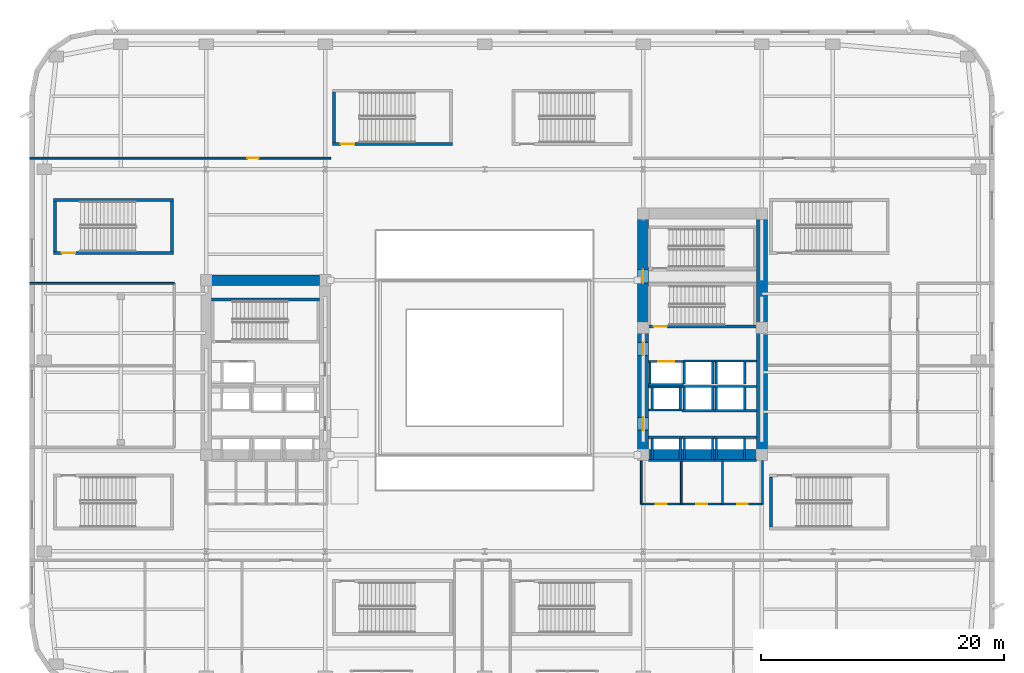
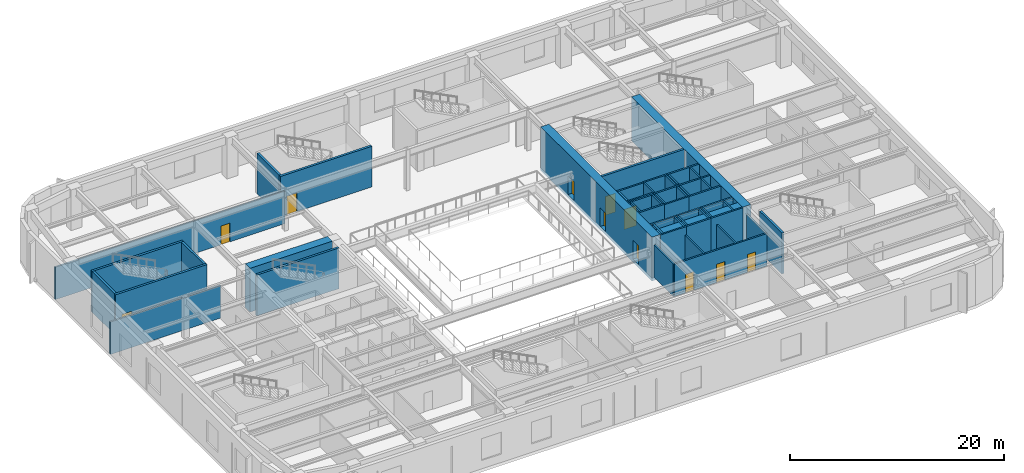
# One storey, part 8 of 22: 53 walls, 11 doors, 11 openings.
"""IFC4 building model written with IfcOpenShell, lengths in metres."""

import ifcopenshell
import ifcopenshell.guid

model = None  # the IFC model being written
_history = None  # IfcOwnerHistory: only IFC2X3 demands one
_inside = {}  # id of a spatial element -> (the spatial element, [elements in it])
_under = {}  # id of a project, library or spatial element -> (it, [spatial elements below it])
_declared = {}  # id of a project -> (the project, [libraries it declares])
_typed = {}  # id of a type object -> (the type object, [elements of that type])
_made_of = {}  # id of a material, layer set ... -> (it, [elements and type objects made of it])


def new_model(schema):
    """Start an empty IFC model of exactly this schema.

    Asked for "IFC4X3", IfcOpenShell would pick the latest addendum, in which some entities
    have other attributes; the version numbers below select the first issue.
    IFC2X3 requires an IfcOwnerHistory on every rooted entity: one is made here for all.
    """
    global model, _history
    if schema == "IFC4X3":
        model = ifcopenshell.file(schema_version=(4, 3, 0, 0))
    else:
        model = ifcopenshell.file(schema=schema)
    _inside.clear()
    _under.clear()
    _declared.clear()
    _typed.clear()
    _made_of.clear()
    _history = None
    if model.schema == "IFC2X3":
        org = make("IfcOrganization", Name="unknown")
        user = make(
            "IfcPersonAndOrganization",
            ThePerson=make("IfcPerson", FamilyName="unknown"),
            TheOrganization=org,
        )
        app = make(
            "IfcApplication",
            ApplicationDeveloper=org,
            Version="unknown",
            ApplicationFullName="unknown",
            ApplicationIdentifier="unknown",
        )
        _history = make(
            "IfcOwnerHistory",
            OwningUser=user,
            OwningApplication=app,
            ChangeAction="ADDED",
            CreationDate=0,
        )
    return model


def make(cls, **values):
    """One entity of the class cls with the attributes given. An attribute that is None is left unset."""
    return model.create_entity(
        cls, **{name: value for name, value in values.items() if value is not None}
    )


def rooted(cls, **values):
    """An entity with a GlobalId (a new one), such as an element, a storey or a relation."""
    return make(cls, GlobalId=ifcopenshell.guid.new(), OwnerHistory=_history, **values)


def si_unit(unit_type, name, prefix=None):
    """IfcSIUnit, for example si_unit("LENGTHUNIT", "METRE", prefix="MILLI")."""
    return make("IfcSIUnit", UnitType=unit_type, Prefix=prefix, Name=name)


def assignment(units):
    """IfcUnitAssignment: the units of a project."""
    return None if units is None else make("IfcUnitAssignment", Units=units)


def point(xyz):
    """IfcCartesianPoint."""
    return None if xyz is None else make("IfcCartesianPoint", Coordinates=xyz)


def direction(xyz):
    """IfcDirection."""
    return None if xyz is None else make("IfcDirection", DirectionRatios=xyz)


def frame(location, z_axis=None, x_axis=None):
    """IfcAxis2Placement3D, a coordinate frame: its origin and axes. An axis left out is left unset."""
    return make(
        "IfcAxis2Placement3D",
        Location=point(location),
        Axis=direction(z_axis),
        RefDirection=direction(x_axis),
    )


def frame_2d(location, x_axis=None):
    """IfcAxis2Placement2D, a coordinate frame in the plane: its origin and x axis."""
    return make(
        "IfcAxis2Placement2D", Location=point(location), RefDirection=direction(x_axis)
    )


def origin():
    """The frame at (0, 0, 0) with its axes left unset."""
    return frame((0.0, 0.0, 0.0))


def place(relative_to, where):
    """IfcLocalPlacement: puts the frame where relative to a parent placement (None: the world)."""
    return make(
        "IfcLocalPlacement", PlacementRelTo=relative_to, RelativePlacement=where
    )


def context(
    kind, dimensions, precision=None, world=None, true_north=None, identifier=None
):
    """IfcGeometricRepresentationContext, for example the 3D "Model" context."""
    return make(
        "IfcGeometricRepresentationContext",
        ContextIdentifier=identifier,
        ContextType=kind,
        CoordinateSpaceDimension=dimensions,
        Precision=precision,
        WorldCoordinateSystem=world,
        TrueNorth=true_north,
    )


def subcontext(parent, identifier, kind, view, scale=None):
    """IfcGeometricRepresentationSubContext, for example "Body" below "Model"."""
    return make(
        "IfcGeometricRepresentationSubContext",
        ContextIdentifier=identifier,
        ContextType=kind,
        ParentContext=parent,
        TargetScale=scale,
        TargetView=view,
    )


def project(units=None, contexts=None):
    """IfcProject with its units and contexts."""
    return rooted(
        "IfcProject",
        Name="project",
        RepresentationContexts=contexts,
        UnitsInContext=assignment(units),
    )


def spatial(cls, under=None, at=None, **own):
    """A site, building, storey or space (cls), placed at a placement, below another one or the project."""
    s = rooted(cls, ObjectPlacement=at, **own)
    if under is not None:
        _under.setdefault(under.id(), (under, []))[1].append(s)
    return s


def profile(cls, at=None, kind="AREA", **sizes):
    """A parametric profile (cls). Its sizes go by their IFC names, for example OverallWidth=200.0."""
    return make(cls, ProfileType=kind, Position=at, **sizes)


def rectangle(**sizes):
    """IfcRectangleProfileDef."""
    return profile("IfcRectangleProfileDef", **sizes)


def extrude(swept, where, along, depth):
    """IfcExtrudedAreaSolid: the profile swept, set in the frame where, extruded along a direction by depth."""
    return make(
        "IfcExtrudedAreaSolid",
        SweptArea=swept,
        Position=where,
        ExtrudedDirection=direction(along),
        Depth=depth,
    )


def shape(context_of_items, identifier, shape_type, items):
    """IfcShapeRepresentation: the items that make up one representation, for example the "Body"."""
    return make(
        "IfcShapeRepresentation",
        ContextOfItems=context_of_items,
        RepresentationIdentifier=identifier,
        RepresentationType=shape_type,
        Items=items,
    )


def material(Name=None, Category=None):
    """IfcMaterial."""
    return make("IfcMaterial", Name=Name, Category=Category)


def layer(
    of_material, thickness, ventilated=None, Name=None, Category=None, Priority=None
):
    """IfcMaterialLayer: one layer of a wall or slab, of a material (None: an air gap)."""
    return make(
        "IfcMaterialLayer",
        Material=of_material,
        LayerThickness=thickness,
        IsVentilated=ventilated,
        Name=Name,
        Category=Category,
        Priority=Priority,
    )


def layer_set(layers, Name=None):
    """IfcMaterialLayerSet."""
    return make("IfcMaterialLayerSet", MaterialLayers=layers, LayerSetName=Name)


def made_of(thing, what):
    """Note that an element or type object is made of a material, layer set ...; save() writes the relation."""
    if what is not None:
        _made_of.setdefault(what.id(), (what, []))[1].append(thing)
    return thing


def type_object(cls, material=None, **own):
    """A type object (cls), such as IfcWallType, which elements share."""
    return made_of(rooted(cls, **own), material)


def element(
    cls,
    number,
    at=None,
    inside=None,
    cuts=None,
    type_object=None,
    material=None,
    context=None,
    identifier="Body",
    shape_type=None,
    held_by="IfcProductDefinitionShape",
    body=None,
    shapes=None,
    **own,
):
    """One element of the class cls, such as IfcWall. Its Tag is "e" and its number.

    at: its placement. inside: the storey or other place that contains it. cuts: it is an
    opening in that element (IfcRelVoidsElement). A single representation is given by context,
    identifier, shape_type and body (its items); several are given by shapes. held_by: the class
    of the entity that holds the representations. save() writes the other relations.
    """
    e = rooted(cls, Tag="e%d" % number, ObjectPlacement=at, **own)
    if body is not None:
        shapes = [shape(context, identifier, shape_type, body)]
    if shapes is not None:
        e.Representation = make(held_by, Representations=shapes)
    if inside is not None:
        _inside.setdefault(inside.id(), (inside, []))[1].append(e)
    if cuts is not None:
        rooted(
            "IfcRelVoidsElement", RelatingBuildingElement=cuts, RelatedOpeningElement=e
        )
    if type_object is not None:
        _typed.setdefault(type_object.id(), (type_object, []))[1].append(e)
    return made_of(e, material)


def fill(opening, filler):
    """IfcRelFillsElement: the door or window that sits in an opening."""
    return rooted(
        "IfcRelFillsElement",
        RelatingOpeningElement=opening,
        RelatedBuildingElement=filler,
    )


def aggregate(whole, parts):
    """IfcRelAggregates: a whole, such as a stair, and the parts it consists of."""
    return rooted("IfcRelAggregates", RelatingObject=whole, RelatedObjects=parts)


def save(model, path):
    """Write the relations noted so far, then the file.

    IfcRelAggregates (storeys below a building ...), IfcRelContainedInSpatialStructure (elements
    in a storey), IfcRelDefinesByType, IfcRelAssociatesMaterial and IfcRelDeclares: one each for
    every whole, place, type object, material and project.
    """
    for whole, parts in _under.values():
        aggregate(whole, parts)
    for where, things in _inside.values():
        rooted(
            "IfcRelContainedInSpatialStructure",
            RelatedElements=things,
            RelatingStructure=where,
        )
    for kind, things in _typed.values():
        rooted("IfcRelDefinesByType", RelatedObjects=things, RelatingType=kind)
    for what, things in _made_of.values():
        rooted("IfcRelAssociatesMaterial", RelatedObjects=things, RelatingMaterial=what)
    for by, libraries in _declared.values():
        rooted("IfcRelDeclares", RelatingContext=by, RelatedDefinitions=libraries)
    model.write(path)


model = new_model("IFC4")

# Units and contexts
model_context = context("Model", 3, precision=1e-05, world=origin(), true_north=direction((0.0, 1.0)))
body_context = subcontext(model_context, "Body", "Model", "MODEL_VIEW")
ifc_project = project(units=[si_unit("LENGTHUNIT", "METRE"), si_unit("AREAUNIT", "SQUARE_METRE"), si_unit("VOLUMEUNIT", "CUBIC_METRE"), si_unit("PLANEANGLEUNIT", "RADIAN"), si_unit("MASSUNIT", "GRAM", prefix="KILO")], contexts=[model_context])

# Site, building, storey
site_placement = place(None, origin())
site = spatial("IfcSite", under=ifc_project, at=site_placement, CompositionType="ELEMENT")
building_placement = place(site_placement, origin())
building = spatial("IfcBuilding", under=site, at=building_placement, Name="Kolvaren Arena Tower", CompositionType="ELEMENT")
storey_placement = place(building_placement, frame((0.0, 0.0, 13.0)))
storey = spatial("IfcBuildingStorey", under=building, at=storey_placement, Name="L02", CompositionType="ELEMENT", Elevation=13.0)

# Wall
ifc_material_1 = material(Name="Gypsum board acoustic assembly", Category="gypsum")
ifc_layer_1 = layer(ifc_material_1, 0.159912109375)
ifc_layer_set_1 = layer_set([ifc_layer_1], Name="Gypsum board acoustic assembly")
wall_type_1 = type_object("IfcWallType", Name="CORR-160", PredefinedType="PARTITIONING", material=ifc_layer_set_1)
wall_1_placement = place(storey_placement, frame((0.0, 33.60009765625, 0.0), z_axis=(0.0, 0.0, 1.0), x_axis=(1.0, 0.0, 0.0)))
element("IfcWall", 1, at=wall_1_placement, inside=storey, type_object=wall_type_1, Name="Interior Partition Wall (L02)", PredefinedType="PARTITIONING", context=body_context, shape_type="SweptSolid", body=[
    extrude(rectangle(XDim=11.919921875, YDim=0.159912109375, at=frame_2d((5.9599609375, 0.0))), origin(), (0.0, 0.0, 1.0), 3.7099609375),
])

# Wall, opening, door
wall_2_placement = place(storey_placement, frame((0.0, 43.919921875, 0.0), z_axis=(0.0, 0.0, 1.0), x_axis=(1.0, 0.0, 0.0)))
wall_2 = element("IfcWall", 2, at=wall_2_placement, inside=storey, type_object=wall_type_1, Name="Interior Partition Wall (L02)", PredefinedType="PARTITIONING", context=body_context, shape_type="SweptSolid", body=[
    extrude(rectangle(XDim=24.800048828125, YDim=0.159912109375, at=frame_2d((12.39990234375, 0.0))), origin(), (0.0, 0.0, 1.0), 3.7099609375),
])
opening_1_placement = place(wall_2_placement, frame((17.919921875, 0.0, 0.0)))
opening_1 = element("IfcOpeningElement", 3, at=opening_1_placement, cuts=wall_2, Name="Opening D05", PredefinedType="OPENING", context=body_context, shape_type="SweptSolid", body=[
    extrude(rectangle(XDim=0.949951171875, YDim=2.14990234375, at=frame_2d((0.47509765625, 1.074951171875))), frame((0.0, 0.08984375, 0.0), z_axis=(0.0, -1.0, 0.0), x_axis=(1.0, 0.0, 0.0)), (0.0, 0.0, 1.0), 0.179931640625),
])
ifc_material_2 = material(Name="Solid-core oak acoustic office door", Category="wood")
door_type_1 = type_object("IfcDoorType", Name="DOOR-OF-095", OperationType="NOTDEFINED", PredefinedType="DOOR", material=ifc_material_2)
door_1_placement = place(opening_1_placement, origin())
door_1 = element("IfcDoor", 4, at=door_1_placement, inside=storey, type_object=door_type_1, Name="Concourse Kitchen Door (L02)", OperationType="SINGLE_SWING_LEFT", OverallHeight=2.14990234375, OverallWidth=0.949951171875, PredefinedType="DOOR", context=body_context, shape_type="SweptSolid", body=[
    extrude(rectangle(XDim=0.949951171875, YDim=2.14990234375, at=frame_2d((0.47509765625, 1.074951171875))), frame((0.0, 0.02490234375, 0.0), z_axis=(0.0, -1.0, 0.0), x_axis=(1.0, 0.0, 0.0)), (0.0, 0.0, 1.0), 0.050048828125),
])
fill(opening_1, door_1)

# Wall
ifc_material_3 = material(Name="Concrete 80 MPa", Category="concrete")
ifc_layer_2 = layer(ifc_material_3, 0.89990234375)
ifc_layer_set_2 = layer_set([ifc_layer_2], Name="Concrete 80 MPa")
wall_type_2 = type_object("IfcWallType", Name="CWALL-900", PredefinedType="SHEAR", material=ifc_layer_set_2)
wall_3_placement = place(storey_placement, frame((15.0, 33.85009765625, -0.35009765625), z_axis=(0.0, 0.0, 1.0), x_axis=(1.0, 0.0, 0.0)))
element("IfcWall", 5, at=wall_3_placement, inside=storey, type_object=wall_type_2, Name="Core Shear Wall WC-NORTH (L02)", PredefinedType="SHEAR", context=body_context, shape_type="SweptSolid", body=[
    extrude(rectangle(XDim=8.89990234375, YDim=0.89990234375, at=frame_2d((4.449951171875, 0.0))), origin(), (0.0, 0.0, 1.0), 5.0),
])

# Wall, openings, doors
wall_4_placement = place(storey_placement, frame((50.550048828125, 19.0, -0.35009765625), z_axis=(0.0, 0.0, 1.0), x_axis=(0.0, 1.0, 0.0)))
wall_4 = element("IfcWall", 6, at=wall_4_placement, inside=storey, type_object=wall_type_2, Name="Core Shear Wall EC-WEST (L02)", PredefinedType="SHEAR", context=body_context, shape_type="SweptSolid", body=[
    extrude(rectangle(XDim=20.800048828125, YDim=0.89990234375, at=frame_2d((10.39990234375, 0.0))), origin(), (0.0, 0.0, 1.0), 5.0),
])
opening_2_placement = place(wall_4_placement, frame((2.5, 0.0, 0.35009765625)))
opening_2 = element("IfcOpeningElement", 7, at=opening_2_placement, cuts=wall_4, Name="Opening D04", PredefinedType="OPENING", context=body_context, shape_type="SweptSolid", body=[
    extrude(rectangle(XDim=1.050048828125, YDim=2.14990234375, at=frame_2d((0.52490234375, 1.074951171875))), frame((0.0, 0.4599609375, 0.0), z_axis=(0.0, -1.0, 0.0), x_axis=(1.0, 0.0, 0.0)), (0.0, 0.0, 1.0), 0.919921875),
])
opening_3_placement = place(wall_4_placement, frame((8.64990234375, 0.0, 0.35009765625)))
opening_3 = element("IfcOpeningElement", 8, at=opening_3_placement, cuts=wall_4, Name="Opening D04", PredefinedType="OPENING", context=body_context, shape_type="SweptSolid", body=[
    extrude(rectangle(XDim=1.050048828125, YDim=2.14990234375, at=frame_2d((0.52490234375, 1.074951171875))), frame((0.0, 0.4599609375, 0.0), z_axis=(0.0, -1.0, 0.0), x_axis=(1.0, 0.0, 0.0)), (0.0, 0.0, 1.0), 0.919921875),
])
opening_4_placement = place(wall_4_placement, frame((14.6201171875, 0.0, 0.35009765625)))
opening_4 = element("IfcOpeningElement", 9, at=opening_4_placement, cuts=wall_4, Name="Opening D03", PredefinedType="OPENING", context=body_context, shape_type="SweptSolid", body=[
    extrude(rectangle(XDim=1.10009765625, YDim=2.14990234375, at=frame_2d((0.550048828125, 1.074951171875))), frame((0.0, 0.4599609375, 0.0), z_axis=(0.0, -1.0, 0.0), x_axis=(1.0, 0.0, 0.0)), (0.0, 0.0, 1.0), 0.919921875),
])
ifc_material_4 = material(Name="Fire-rated steel lobby door", Category="steel")
door_type_2 = type_object("IfcDoorType", Name="DOOR-FF-105", OperationType="NOTDEFINED", PredefinedType="DOOR", material=ifc_material_4)
door_2_placement = place(opening_2_placement, origin())
door_2 = element("IfcDoor", 10, at=door_2_placement, inside=storey, type_object=door_type_2, Name="East Lift Lobby Fire Door (L02)", OperationType="SINGLE_SWING_RIGHT", OverallHeight=2.14990234375, OverallWidth=1.050048828125, PredefinedType="DOOR", context=body_context, shape_type="SweptSolid", body=[
    extrude(rectangle(XDim=1.050048828125, YDim=2.14990234375, at=frame_2d((0.52490234375, 1.074951171875))), frame((0.0, 0.02490234375, 0.0), z_axis=(0.0, -1.0, 0.0), x_axis=(1.0, 0.0, 0.0)), (0.0, 0.0, 1.0), 0.050048828125),
])
fill(opening_2, door_2)
door_3_placement = place(opening_3_placement, origin())
door_3 = element("IfcDoor", 11, at=door_3_placement, inside=storey, type_object=door_type_2, Name="East Firefighter Vestibule Door (L02)", OperationType="SINGLE_SWING_LEFT", OverallHeight=2.14990234375, OverallWidth=1.050048828125, PredefinedType="DOOR", context=body_context, shape_type="SweptSolid", body=[
    extrude(rectangle(XDim=1.050048828125, YDim=2.14990234375, at=frame_2d((0.52490234375, 1.074951171875))), frame((0.0, 0.02490234375, 0.0), z_axis=(0.0, -1.0, 0.0), x_axis=(1.0, 0.0, 0.0)), (0.0, 0.0, 1.0), 0.050048828125),
])
fill(opening_3, door_3)
ifc_material_5 = material(Name="Fire-rated steel exit stair door", Category="steel")
door_type_3 = type_object("IfcDoorType", Name="DOOR-ST-110", OperationType="NOTDEFINED", PredefinedType="DOOR", material=ifc_material_5)
door_4_placement = place(opening_4_placement, origin())
door_4 = element("IfcDoor", 12, at=door_4_placement, inside=storey, type_object=door_type_3, Name="Stair ST-E2 Vestibule Fire Door (L02)", OperationType="SINGLE_SWING_LEFT", OverallHeight=2.14990234375, OverallWidth=1.10009765625, PredefinedType="DOOR", context=body_context, shape_type="SweptSolid", body=[
    extrude(rectangle(XDim=1.10009765625, YDim=2.14990234375, at=frame_2d((0.550048828125, 1.074951171875))), frame((0.0, 0.02490234375, 0.0), z_axis=(0.0, -1.0, 0.0), x_axis=(1.0, 0.0, 0.0)), (0.0, 0.0, 1.0), 0.050048828125),
])
fill(opening_4, door_4)

# Walls
wall_5_placement = place(storey_placement, frame((60.35009765625, 19.0, -0.35009765625), z_axis=(0.0, 0.0, 1.0), x_axis=(0.0, 1.0, 0.0)))
element("IfcWall", 13, at=wall_5_placement, inside=storey, type_object=wall_type_2, Name="Core Shear Wall EC-EAST (L02)", PredefinedType="SHEAR", context=body_context, shape_type="SweptSolid", body=[
    extrude(rectangle(XDim=20.800048828125, YDim=0.89990234375, at=frame_2d((10.39990234375, 0.0))), origin(), (0.0, 0.0, 1.0), 5.0),
])
wall_6_placement = place(storey_placement, frame((51.0, 19.449951171875, -0.35009765625), z_axis=(0.0, 0.0, 1.0), x_axis=(1.0, 0.0, 0.0)))
element("IfcWall", 14, at=wall_6_placement, inside=storey, type_object=wall_type_2, Name="Core Shear Wall EC-SOUTH (L02)", PredefinedType="SHEAR", context=body_context, shape_type="SweptSolid", body=[
    extrude(rectangle(XDim=8.89990234375, YDim=0.89990234375, at=frame_2d((4.449951171875, 0.0))), origin(), (0.0, 0.0, 1.0), 5.0),
])
ifc_material_6 = material(Name="Concrete 45 MPa", Category="concrete")
ifc_layer_3 = layer(ifc_material_6, 0.25)
ifc_layer_set_3 = layer_set([ifc_layer_3], Name="Concrete 45 MPa")
wall_type_3 = type_object("IfcWallType", Name="SHAFT-250", PredefinedType="SOLIDWALL", material=ifc_layer_set_3)
wall_7_placement = place(storey_placement, frame((61.080078125, 13.5, 0.0), z_axis=(0.0, 0.0, 1.0), x_axis=(0.0, 1.0, 0.0)))
element("IfcWall", 15, at=wall_7_placement, inside=storey, type_object=wall_type_3, Name="Stair ST-A4 West Shaft Wall (L02)", PredefinedType="SOLIDWALL", context=body_context, shape_type="SweptSolid", body=[
    extrude(rectangle(XDim=4.14990234375, YDim=0.239990234375, at=frame_2d((2.074951171875, 0.0))), origin(), (0.0, 0.0, 1.0), 4.64990234375),
])

# Wall, opening, door
wall_8_placement = place(storey_placement, frame((11.840087890625, 36.080078125, 0.0), z_axis=(0.0, 0.0, 1.0), x_axis=(-1.0, 0.0, 0.0)))
wall_8 = element("IfcWall", 16, at=wall_8_placement, inside=storey, type_object=wall_type_3, Name="Stair ST-A5 Rated Enclosure Wall (L02)", PredefinedType="SOLIDWALL", context=body_context, shape_type="SweptSolid", body=[
    extrude(rectangle(XDim=9.880126953125, YDim=0.239990234375, at=frame_2d((4.93994140625, 0.0))), origin(), (0.0, 0.0, 1.0), 4.64990234375),
])
opening_5_placement = place(wall_8_placement, frame((8.090087890625, 0.0, 0.0)))
opening_5 = element("IfcOpeningElement", 17, at=opening_5_placement, cuts=wall_8, Name="Opening D03", PredefinedType="OPENING", context=body_context, shape_type="SweptSolid", body=[
    extrude(rectangle(XDim=1.10009765625, YDim=2.14990234375, at=frame_2d((0.550048828125, 1.074951171875))), frame((0.0, 0.1298828125, 0.0), z_axis=(0.0, -1.0, 0.0), x_axis=(1.0, 0.0, 0.0)), (0.0, 0.0, 1.0), 0.260009765625),
])
door_5_placement = place(opening_5_placement, origin())
door_5 = element("IfcDoor", 18, at=door_5_placement, inside=storey, type_object=door_type_3, Name="Exit Stair ST-A5 Fire Door (L02)", OperationType="SINGLE_SWING_LEFT", OverallHeight=2.14990234375, OverallWidth=1.10009765625, PredefinedType="DOOR", context=body_context, shape_type="SweptSolid", body=[
    extrude(rectangle(XDim=1.10009765625, YDim=2.14990234375, at=frame_2d((0.550048828125, 1.074951171875))), frame((0.0, 0.02490234375, 0.0), z_axis=(0.0, -1.0, 0.0), x_axis=(1.0, 0.0, 0.0)), (0.0, 0.0, 1.0), 0.050048828125),
])
fill(opening_5, door_5)

# Walls
wall_9_placement = place(storey_placement, frame((1.9599609375, 40.469970703125, 0.0), z_axis=(0.0, 0.0, 1.0), x_axis=(1.0, 0.0, 0.0)))
element("IfcWall", 19, at=wall_9_placement, inside=storey, type_object=wall_type_3, Name="Stair ST-A5 Rear Shaft Wall (L02)", PredefinedType="SOLIDWALL", context=body_context, shape_type="SweptSolid", body=[
    extrude(rectangle(XDim=9.880126953125, YDim=0.239990234375, at=frame_2d((4.93994140625, 0.0))), origin(), (0.0, 0.0, 1.0), 4.64990234375),
])
for number, where, z_axis, x_axis, name in (
    (20, (2.080078125, 36.199951171875, 0.0), (0.0, 0.0, 1.0), (0.0, 1.0, 0.0), "Stair ST-A5 West Shaft Wall (L02)"),
    (21, (11.719970703125, 36.199951171875, 0.0), (0.0, 0.0, 1.0), (0.0, 1.0, 0.0), "Stair ST-A5 East Shaft Wall (L02)"),
):
    element("IfcWall", number, at=place(storey_placement, frame(where, z_axis=z_axis, x_axis=x_axis)), inside=storey, type_object=wall_type_3, Name=name, PredefinedType="SOLIDWALL", context=body_context, shape_type="SweptSolid", body=[
        extrude(rectangle(XDim=4.150146484375, YDim=0.239990234375, at=frame_2d((2.0751953125, 0.0))), origin(), (0.0, 0.0, 1.0), 4.64990234375),
    ])

# Wall, opening, door
wall_10_placement = place(storey_placement, frame((34.840087890625, 45.080078125, 0.0), z_axis=(0.0, 0.0, 1.0), x_axis=(-1.0, 0.0, 0.0)))
wall_10 = element("IfcWall", 22, at=wall_10_placement, inside=storey, type_object=wall_type_3, Name="Stair ST-A6 Rated Enclosure Wall (L02)", PredefinedType="SOLIDWALL", context=body_context, shape_type="SweptSolid", body=[
    extrude(rectangle(XDim=9.880126953125, YDim=0.239990234375, at=frame_2d((4.93994140625, 0.0))), origin(), (0.0, 0.0, 1.0), 4.64990234375),
])
opening_6_placement = place(wall_10_placement, frame((8.090087890625, 0.0, 0.0)))
opening_6 = element("IfcOpeningElement", 23, at=opening_6_placement, cuts=wall_10, Name="Opening D03", PredefinedType="OPENING", context=body_context, shape_type="SweptSolid", body=[
    extrude(rectangle(XDim=1.10009765625, YDim=2.14990234375, at=frame_2d((0.550048828125, 1.074951171875))), frame((0.0, 0.1298828125, 0.0), z_axis=(0.0, -1.0, 0.0), x_axis=(1.0, 0.0, 0.0)), (0.0, 0.0, 1.0), 0.260009765625),
])
door_6_placement = place(opening_6_placement, origin())
door_6 = element("IfcDoor", 24, at=door_6_placement, inside=storey, type_object=door_type_3, Name="Exit Stair ST-A6 Fire Door (L02)", OperationType="SINGLE_SWING_LEFT", OverallHeight=2.14990234375, OverallWidth=1.10009765625, PredefinedType="DOOR", context=body_context, shape_type="SweptSolid", body=[
    extrude(rectangle(XDim=1.10009765625, YDim=2.14990234375, at=frame_2d((0.550048828125, 1.074951171875))), frame((0.0, 0.02490234375, 0.0), z_axis=(0.0, -1.0, 0.0), x_axis=(1.0, 0.0, 0.0)), (0.0, 0.0, 1.0), 0.050048828125),
])
fill(opening_6, door_6)

# Walls
wall_11_placement = place(storey_placement, frame((25.080078125, 45.199951171875, 0.0), z_axis=(0.0, 0.0, 1.0), x_axis=(0.0, 1.0, 0.0)))
element("IfcWall", 25, at=wall_11_placement, inside=storey, type_object=wall_type_3, Name="Stair ST-A6 West Shaft Wall (L02)", PredefinedType="SOLIDWALL", context=body_context, shape_type="SweptSolid", body=[
    extrude(rectangle(XDim=4.150146484375, YDim=0.239990234375, at=frame_2d((2.0751953125, 0.0))), origin(), (0.0, 0.0, 1.0), 4.64990234375),
])
wall_12_placement = place(storey_placement, frame((15.0, 32.25, 0.0), z_axis=(0.0, 0.0, 1.0), x_axis=(1.0, 0.0, 0.0)))
element("IfcWall", 26, at=wall_12_placement, inside=storey, type_object=wall_type_3, Name="Core Shaft Wall (L02)", PredefinedType="SOLIDWALL", context=body_context, shape_type="SweptSolid", body=[
    extrude(rectangle(XDim=8.89990234375, YDim=0.239990234375, at=frame_2d((4.449951171875, 0.0))), origin(), (0.0, 0.0, 1.0), 4.64990234375),
])

# Wall, opening, door
wall_13_placement = place(storey_placement, frame((59.89990234375, 30.030029296875, 0.0), z_axis=(0.0, 0.0, 1.0), x_axis=(-1.0, 0.0, 0.0)))
wall_13 = element("IfcWall", 27, at=wall_13_placement, inside=storey, type_object=wall_type_3, Name="Core Shaft Wall (L02)", PredefinedType="SOLIDWALL", context=body_context, shape_type="SweptSolid", body=[
    extrude(rectangle(XDim=8.89990234375, YDim=0.239990234375, at=frame_2d((4.449951171875, 0.0))), origin(), (0.0, 0.0, 1.0), 4.64990234375),
])
opening_7_placement = place(wall_13_placement, frame((7.3798828125, 0.0, 0.0)))
opening_7 = element("IfcOpeningElement", 28, at=opening_7_placement, cuts=wall_13, Name="Opening D03", PredefinedType="OPENING", context=body_context, shape_type="SweptSolid", body=[
    extrude(rectangle(XDim=1.10009765625, YDim=2.14990234375, at=frame_2d((0.550048828125, 1.074951171875))), frame((0.0, 0.1298828125, 0.0), z_axis=(0.0, -1.0, 0.0), x_axis=(1.0, 0.0, 0.0)), (0.0, 0.0, 1.0), 0.260009765625),
])
door_7_placement = place(opening_7_placement, origin())
door_7 = element("IfcDoor", 29, at=door_7_placement, inside=storey, type_object=door_type_3, Name="Stair ST-E1 Fire Door (L02)", OperationType="SINGLE_SWING_LEFT", OverallHeight=2.14990234375, OverallWidth=1.10009765625, PredefinedType="DOOR", context=body_context, shape_type="SweptSolid", body=[
    extrude(rectangle(XDim=1.10009765625, YDim=2.14990234375, at=frame_2d((0.550048828125, 1.074951171875))), frame((0.0, 0.02490234375, 0.0), z_axis=(0.0, -1.0, 0.0), x_axis=(1.0, 0.0, 0.0)), (0.0, 0.0, 1.0), 0.050048828125),
])
fill(opening_7, door_7)

# Walls
for number, where, z_axis, x_axis, name in (
    (30, (51.0, 20.905029296875, 0.0), (0.0, 0.0, 1.0), (1.0, 0.0, 0.0), "Core Shaft Wall (L02)"),
    (31, (51.0, 18.9951171875, 0.0), (0.0, 0.0, 1.0), (1.0, 0.0, 0.0), "Core Shaft Wall (L02)"),
):
    element("IfcWall", number, at=place(storey_placement, frame(where, z_axis=z_axis, x_axis=x_axis)), inside=storey, type_object=wall_type_3, Name=name, PredefinedType="SOLIDWALL", context=body_context, shape_type="SweptSolid", body=[
        extrude(rectangle(XDim=2.7900390625, YDim=0.179931640625, at=frame_2d((1.39501953125, 0.0))), origin(), (0.0, 0.0, 1.0), 4.64990234375),
    ])
for number, where, z_axis, x_axis, name in (
    (32, (51.304931640625, 19.0849609375, 0.0), (0.0, 0.0, 1.0), (0.0, 1.0, 0.0), "Core Shaft Wall (L02)"),
    (33, (53.614990234375, 19.0849609375, 0.0), (0.0, 0.0, 1.0), (0.0, 1.0, 0.0), "Core Shaft Wall (L02)"),
):
    element("IfcWall", number, at=place(storey_placement, frame(where, z_axis=z_axis, x_axis=x_axis)), inside=storey, type_object=wall_type_3, Name=name, PredefinedType="SOLIDWALL", context=body_context, shape_type="SweptSolid", body=[
        extrude(rectangle(XDim=1.72998046875, YDim=0.179931640625, at=frame_2d((0.864990234375, 0.0))), origin(), (0.0, 0.0, 1.0), 4.64990234375),
    ])
for number, where, z_axis, x_axis, name in (
    (34, (53.7900390625, 20.905029296875, 0.0), (0.0, 0.0, 1.0), (1.0, 0.0, 0.0), "Core Shaft Wall (L02)"),
    (35, (53.7900390625, 18.9951171875, 0.0), (0.0, 0.0, 1.0), (1.0, 0.0, 0.0), "Core Shaft Wall (L02)"),
):
    element("IfcWall", number, at=place(storey_placement, frame(where, z_axis=z_axis, x_axis=x_axis)), inside=storey, type_object=wall_type_3, Name=name, PredefinedType="SOLIDWALL", context=body_context, shape_type="SweptSolid", body=[
        extrude(rectangle(XDim=2.64990234375, YDim=0.179931640625, at=frame_2d((1.324951171875, 0.0))), origin(), (0.0, 0.0, 1.0), 4.64990234375),
    ])
for number, where, z_axis, x_axis, name in (
    (36, (53.965087890625, 19.0849609375, 0.0), (0.0, 0.0, 1.0), (0.0, 1.0, 0.0), "Core Shaft Wall (L02)"),
    (37, (56.27490234375, 19.0849609375, 0.0), (0.0, 0.0, 1.0), (0.0, 1.0, 0.0), "Core Shaft Wall (L02)"),
):
    element("IfcWall", number, at=place(storey_placement, frame(where, z_axis=z_axis, x_axis=x_axis)), inside=storey, type_object=wall_type_3, Name=name, PredefinedType="SOLIDWALL", context=body_context, shape_type="SweptSolid", body=[
        extrude(rectangle(XDim=1.72998046875, YDim=0.179931640625, at=frame_2d((0.864990234375, 0.0))), origin(), (0.0, 0.0, 1.0), 4.64990234375),
    ])
for number, where, z_axis, x_axis, name in (
    (38, (56.43994140625, 20.905029296875, 0.0), (0.0, 0.0, 1.0), (1.0, 0.0, 0.0), "Core Shaft Wall (L02)"),
    (39, (56.43994140625, 18.9951171875, 0.0), (0.0, 0.0, 1.0), (1.0, 0.0, 0.0), "Core Shaft Wall (L02)"),
):
    element("IfcWall", number, at=place(storey_placement, frame(where, z_axis=z_axis, x_axis=x_axis)), inside=storey, type_object=wall_type_3, Name=name, PredefinedType="SOLIDWALL", context=body_context, shape_type="SweptSolid", body=[
        extrude(rectangle(XDim=3.4599609375, YDim=0.179931640625, at=frame_2d((1.72998046875, 0.0))), origin(), (0.0, 0.0, 1.0), 4.64990234375),
    ])
for number, where, z_axis, x_axis, name in (
    (40, (56.60498046875, 19.0849609375, 0.0), (0.0, 0.0, 1.0), (0.0, 1.0, 0.0), "Core Shaft Wall (L02)"),
    (41, (58.9150390625, 19.0849609375, 0.0), (0.0, 0.0, 1.0), (0.0, 1.0, 0.0), "Core Shaft Wall (L02)"),
):
    element("IfcWall", number, at=place(storey_placement, frame(where, z_axis=z_axis, x_axis=x_axis)), inside=storey, type_object=wall_type_3, Name=name, PredefinedType="SOLIDWALL", context=body_context, shape_type="SweptSolid", body=[
        extrude(rectangle(XDim=1.72998046875, YDim=0.179931640625, at=frame_2d((0.864990234375, 0.0))), origin(), (0.0, 0.0, 1.0), 4.64990234375),
    ])
for number, where, z_axis, x_axis, name in (
    (42, (51.0, 25.054931640625, 0.0), (0.0, 0.0, 1.0), (1.0, 0.0, 0.0), "Core Shaft Wall (L02)"),
    (43, (51.0, 23.14501953125, 0.0), (0.0, 0.0, 1.0), (1.0, 0.0, 0.0), "Core Shaft Wall (L02)"),
):
    element("IfcWall", number, at=place(storey_placement, frame(where, z_axis=z_axis, x_axis=x_axis)), inside=storey, type_object=wall_type_3, Name=name, PredefinedType="SOLIDWALL", context=body_context, shape_type="SweptSolid", body=[
        extrude(rectangle(XDim=2.777587890625, YDim=0.179931640625, at=frame_2d((1.388671875, 0.0))), origin(), (0.0, 0.0, 1.0), 4.64990234375),
    ])
for number, where, z_axis, x_axis, name in (
    (44, (51.304931640625, 23.235107421875, 0.0), (0.0, 0.0, 1.0), (0.0, 1.0, 0.0), "Core Shaft Wall (L02)"),
    (45, (53.614990234375, 23.235107421875, 0.0), (0.0, 0.0, 1.0), (0.0, 1.0, 0.0), "Core Shaft Wall (L02)"),
):
    element("IfcWall", number, at=place(storey_placement, frame(where, z_axis=z_axis, x_axis=x_axis)), inside=storey, type_object=wall_type_3, Name=name, PredefinedType="SOLIDWALL", context=body_context, shape_type="SweptSolid", body=[
        extrude(rectangle(XDim=1.72998046875, YDim=0.179931640625, at=frame_2d((0.864990234375, 0.0))), origin(), (0.0, 0.0, 1.0), 4.64990234375),
    ])
for number, where, z_axis, x_axis, name in (
    (46, (53.777587890625, 25.10498046875, 0.0), (0.0, 0.0, 1.0), (1.0, 0.0, 0.0), "Core Shaft Wall (L02)"),
    (47, (53.777587890625, 23.094970703125, 0.0), (0.0, 0.0, 1.0), (1.0, 0.0, 0.0), "Core Shaft Wall (L02)"),
):
    element("IfcWall", number, at=place(storey_placement, frame(where, z_axis=z_axis, x_axis=x_axis)), inside=storey, type_object=wall_type_3, Name=name, PredefinedType="SOLIDWALL", context=body_context, shape_type="SweptSolid", body=[
        extrude(rectangle(XDim=2.662353515625, YDim=0.179931640625, at=frame_2d((1.3310546875, 0.0))), origin(), (0.0, 0.0, 1.0), 4.64990234375),
    ])
for number, where, z_axis, x_axis, name in (
    (48, (53.93994140625, 23.18505859375, 0.0), (0.0, 0.0, 1.0), (0.0, 1.0, 0.0), "Core Shaft Wall (L02)"),
    (49, (56.300048828125, 23.18505859375, 0.0), (0.0, 0.0, 1.0), (0.0, 1.0, 0.0), "Core Shaft Wall (L02)"),
):
    element("IfcWall", number, at=place(storey_placement, frame(where, z_axis=z_axis, x_axis=x_axis)), inside=storey, type_object=wall_type_3, Name=name, PredefinedType="SOLIDWALL", context=body_context, shape_type="SweptSolid", body=[
        extrude(rectangle(XDim=1.829833984375, YDim=0.179931640625, at=frame_2d((0.9150390625, 0.0))), origin(), (0.0, 0.0, 1.0), 4.64990234375),
    ])
for number, where, z_axis, x_axis, name in (
    (50, (56.43994140625, 25.10498046875, 0.0), (0.0, 0.0, 1.0), (1.0, 0.0, 0.0), "Core Shaft Wall (L02)"),
    (51, (56.43994140625, 23.094970703125, 0.0), (0.0, 0.0, 1.0), (1.0, 0.0, 0.0), "Core Shaft Wall (L02)"),
):
    element("IfcWall", number, at=place(storey_placement, frame(where, z_axis=z_axis, x_axis=x_axis)), inside=storey, type_object=wall_type_3, Name=name, PredefinedType="SOLIDWALL", context=body_context, shape_type="SweptSolid", body=[
        extrude(rectangle(XDim=3.4599609375, YDim=0.179931640625, at=frame_2d((1.72998046875, 0.0))), origin(), (0.0, 0.0, 1.0), 4.64990234375),
    ])
for number, where, z_axis, x_axis, name in (
    (52, (56.580078125, 23.18505859375, 0.0), (0.0, 0.0, 1.0), (0.0, 1.0, 0.0), "Core Shaft Wall (L02)"),
    (53, (58.93994140625, 23.18505859375, 0.0), (0.0, 0.0, 1.0), (0.0, 1.0, 0.0), "Core Shaft Wall (L02)"),
):
    element("IfcWall", number, at=place(storey_placement, frame(where, z_axis=z_axis, x_axis=x_axis)), inside=storey, type_object=wall_type_3, Name=name, PredefinedType="SOLIDWALL", context=body_context, shape_type="SweptSolid", body=[
        extrude(rectangle(XDim=1.829833984375, YDim=0.179931640625, at=frame_2d((0.9150390625, 0.0))), origin(), (0.0, 0.0, 1.0), 4.64990234375),
    ])
wall_14_placement = place(storey_placement, frame((53.864990234375, 27.205078125, 0.0), z_axis=(0.0, 0.0, 1.0), x_axis=(1.0, 0.0, 0.0)))
element("IfcWall", 54, at=wall_14_placement, inside=storey, type_object=wall_type_3, Name="Core Shaft Wall (L02)", PredefinedType="SOLIDWALL", context=body_context, shape_type="SweptSolid", body=[
    extrude(rectangle(XDim=2.574951171875, YDim=0.179931640625, at=frame_2d((1.28759765625, 0.0))), origin(), (0.0, 0.0, 1.0), 4.64990234375),
])
for number, where, z_axis, x_axis, name in (
    (55, (53.93994140625, 25.284912109375, 0.0), (0.0, 0.0, 1.0), (0.0, 1.0, 0.0), "Core Shaft Wall (L02)"),
    (56, (56.300048828125, 25.284912109375, 0.0), (0.0, 0.0, 1.0), (0.0, 1.0, 0.0), "Core Shaft Wall (L02)"),
):
    element("IfcWall", number, at=place(storey_placement, frame(where, z_axis=z_axis, x_axis=x_axis)), inside=storey, type_object=wall_type_3, Name=name, PredefinedType="SOLIDWALL", context=body_context, shape_type="SweptSolid", body=[
        extrude(rectangle(XDim=1.830078125, YDim=0.179931640625, at=frame_2d((0.9150390625, 0.0))), origin(), (0.0, 0.0, 1.0), 4.64990234375),
    ])
wall_15_placement = place(storey_placement, frame((56.43994140625, 27.205078125, 0.0), z_axis=(0.0, 0.0, 1.0), x_axis=(1.0, 0.0, 0.0)))
element("IfcWall", 57, at=wall_15_placement, inside=storey, type_object=wall_type_3, Name="Core Shaft Wall (L02)", PredefinedType="SOLIDWALL", context=body_context, shape_type="SweptSolid", body=[
    extrude(rectangle(XDim=3.4599609375, YDim=0.179931640625, at=frame_2d((1.72998046875, 0.0))), origin(), (0.0, 0.0, 1.0), 4.64990234375),
])
for number, where, z_axis, x_axis, name in (
    (58, (56.580078125, 25.284912109375, 0.0), (0.0, 0.0, 1.0), (0.0, 1.0, 0.0), "Core Shaft Wall (L02)"),
    (59, (58.93994140625, 25.284912109375, 0.0), (0.0, 0.0, 1.0), (0.0, 1.0, 0.0), "Core Shaft Wall (L02)"),
):
    element("IfcWall", number, at=place(storey_placement, frame(where, z_axis=z_axis, x_axis=x_axis)), inside=storey, type_object=wall_type_3, Name=name, PredefinedType="SOLIDWALL", context=body_context, shape_type="SweptSolid", body=[
        extrude(rectangle(XDim=1.830078125, YDim=0.179931640625, at=frame_2d((0.9150390625, 0.0))), origin(), (0.0, 0.0, 1.0), 4.64990234375),
    ])

# Wall, opening, door
wall_16_placement = place(storey_placement, frame((51.0, 27.155029296875, 0.0), z_axis=(0.0, 0.0, 1.0), x_axis=(1.0, 0.0, 0.0)))
wall_16 = element("IfcWall", 60, at=wall_16_placement, inside=storey, type_object=wall_type_3, Name="Core Shaft Wall (L02)", PredefinedType="SOLIDWALL", context=body_context, shape_type="SweptSolid", body=[
    extrude(rectangle(XDim=2.864990234375, YDim=0.179931640625, at=frame_2d((1.4326171875, 0.0))), origin(), (0.0, 0.0, 1.0), 4.64990234375),
])
opening_8_placement = place(wall_16_placement, frame((0.784912109375, 0.0, 0.0)))
opening_8 = element("IfcOpeningElement", 61, at=opening_8_placement, cuts=wall_16, Name="Opening LD2", PredefinedType="OPENING", context=body_context, shape_type="SweptSolid", body=[
    extrude(rectangle(XDim=1.35009765625, YDim=2.300048828125, at=frame_2d((0.675048828125, 1.14990234375))), frame((0.0, 0.099853515625, 0.0), z_axis=(0.0, -1.0, 0.0), x_axis=(1.0, 0.0, 0.0)), (0.0, 0.0, 1.0), 0.199951171875),
])
ifc_material_7 = material(Name="Stainless steel firefighter lift landing door", Category="steel")
door_type_4 = type_object("IfcDoorType", Name="DOOR-LD-135", OperationType="DOUBLE_DOOR_SLIDING", PredefinedType="DOOR", material=ifc_material_7)
door_8_placement = place(opening_8_placement, origin())
door_8 = element("IfcDoor", 62, at=door_8_placement, inside=storey, type_object=door_type_4, Name="Firefighter Lift FF-E1 Landing Door (L02)", OperationType="DOUBLE_DOOR_SLIDING", OverallHeight=2.300048828125, OverallWidth=1.35009765625, PredefinedType="DOOR", context=body_context, shape_type="SweptSolid", body=[
    extrude(rectangle(XDim=1.35009765625, YDim=2.300048828125, at=frame_2d((0.675048828125, 1.14990234375))), frame((0.0, 0.02490234375, 0.0), z_axis=(0.0, -1.0, 0.0), x_axis=(1.0, 0.0, 0.0)), (0.0, 0.0, 1.0), 0.050048828125),
])
fill(opening_8, door_8)

# Walls
wall_17_placement = place(storey_placement, frame((51.0, 25.2451171875, 0.0), z_axis=(0.0, 0.0, 1.0), x_axis=(1.0, 0.0, 0.0)))
element("IfcWall", 63, at=wall_17_placement, inside=storey, type_object=wall_type_3, Name="Core Shaft Wall (L02)", PredefinedType="SOLIDWALL", context=body_context, shape_type="SweptSolid", body=[
    extrude(rectangle(XDim=2.864990234375, YDim=0.179931640625, at=frame_2d((1.4326171875, 0.0))), origin(), (0.0, 0.0, 1.0), 4.64990234375),
])
wall_18_placement = place(storey_placement, frame((51.1298828125, 25.3349609375, 0.0), z_axis=(0.0, 0.0, 1.0), x_axis=(0.0, 1.0, 0.0)))
element("IfcWall", 64, at=wall_18_placement, inside=storey, type_object=wall_type_3, Name="Core Shaft Wall (L02)", PredefinedType="SOLIDWALL", context=body_context, shape_type="SweptSolid", body=[
    extrude(rectangle(XDim=1.72998046875, YDim=0.179931640625, at=frame_2d((0.864990234375, 0.0))), origin(), (0.0, 0.0, 1.0), 4.64990234375),
])

# Wall, openings, doors
wall_19_placement = place(storey_placement, frame((50.39990234375, 15.39990234375, 0.0), z_axis=(0.0, 0.0, 1.0), x_axis=(1.0, 0.0, 0.0)))
wall_19 = element("IfcWall", 65, at=wall_19_placement, inside=storey, type_object=wall_type_3, Name="Interior Partition Wall (L02)", PredefinedType="SOLIDWALL", context=body_context, shape_type="SweptSolid", body=[
    extrude(rectangle(XDim=10.0, YDim=0.179931640625, at=frame_2d((5.0, 0.0))), origin(), (0.0, 0.0, 1.0), 3.7099609375),
])
opening_9_placement = place(wall_19_placement, frame((1.18994140625, 0.0, 0.0)))
opening_9 = element("IfcOpeningElement", 66, at=opening_9_placement, cuts=wall_19, Name="Opening D07", PredefinedType="OPENING", context=body_context, shape_type="SweptSolid", body=[
    extrude(rectangle(XDim=0.919921875, YDim=2.10009765625, at=frame_2d((0.4599609375, 1.050048828125))), frame((0.0, 0.099853515625, 0.0), z_axis=(0.0, -1.0, 0.0), x_axis=(1.0, 0.0, 0.0)), (0.0, 0.0, 1.0), 0.199951171875),
])
opening_10_placement = place(wall_19_placement, frame((4.5400390625, 0.0, 0.0)))
opening_10 = element("IfcOpeningElement", 67, at=opening_10_placement, cuts=wall_19, Name="Opening D07", PredefinedType="OPENING", context=body_context, shape_type="SweptSolid", body=[
    extrude(rectangle(XDim=0.919921875, YDim=2.10009765625, at=frame_2d((0.4599609375, 1.050048828125))), frame((0.0, 0.099853515625, 0.0), z_axis=(0.0, -1.0, 0.0), x_axis=(1.0, 0.0, 0.0)), (0.0, 0.0, 1.0), 0.199951171875),
])
opening_11_placement = place(wall_19_placement, frame((7.919921875, 0.0, 0.0)))
opening_11 = element("IfcOpeningElement", 68, at=opening_11_placement, cuts=wall_19, Name="Opening D09", PredefinedType="OPENING", context=body_context, shape_type="SweptSolid", body=[
    extrude(rectangle(XDim=0.860107421875, YDim=2.050048828125, at=frame_2d((0.43017578125, 1.02490234375))), frame((0.0, 0.099853515625, 0.0), z_axis=(0.0, -1.0, 0.0), x_axis=(1.0, 0.0, 0.0)), (0.0, 0.0, 1.0), 0.199951171875),
])
ifc_material_8 = material(Name="Fire-rated steel riser access door", Category="steel")
door_type_5 = type_object("IfcDoorType", Name="DOOR-RS-086", OperationType="NOTDEFINED", PredefinedType="DOOR", material=ifc_material_8)
door_9_placement = place(opening_11_placement, origin())
door_9 = element("IfcDoor", 69, at=door_9_placement, inside=storey, type_object=door_type_5, Name="Mechanical Riser Closet Door (L02)", OperationType="SINGLE_SWING_RIGHT", OverallHeight=2.050048828125, OverallWidth=0.860107421875, PredefinedType="DOOR", context=body_context, shape_type="SweptSolid", body=[
    extrude(rectangle(XDim=0.860107421875, YDim=2.050048828125, at=frame_2d((0.43017578125, 1.02490234375))), frame((0.0, 0.02490234375, 0.0), z_axis=(0.0, -1.0, 0.0), x_axis=(1.0, 0.0, 0.0)), (0.0, 0.0, 1.0), 0.050048828125),
])
fill(opening_11, door_9)
ifc_material_9 = material(Name="Laminate universal washroom door", Category="wood")
door_type_6 = type_object("IfcDoorType", Name="DOOR-WC-092", OperationType="NOTDEFINED", PredefinedType="DOOR", material=ifc_material_9)
door_10_placement = place(opening_9_placement, origin())
door_10 = element("IfcDoor", 70, at=door_10_placement, inside=storey, type_object=door_type_6, Name="Staff Pantry Door (L02)", OperationType="SINGLE_SWING_RIGHT", OverallHeight=2.10009765625, OverallWidth=0.919921875, PredefinedType="DOOR", context=body_context, shape_type="SweptSolid", body=[
    extrude(rectangle(XDim=0.919921875, YDim=2.10009765625, at=frame_2d((0.4599609375, 1.050048828125))), frame((0.0, 0.02490234375, 0.0), z_axis=(0.0, -1.0, 0.0), x_axis=(1.0, 0.0, 0.0)), (0.0, 0.0, 1.0), 0.050048828125),
])
fill(opening_9, door_10)
door_11_placement = place(opening_10_placement, origin())
door_11 = element("IfcDoor", 71, at=door_11_placement, inside=storey, type_object=door_type_6, Name="Gender-Neutral Washroom Door (L02)", OperationType="SINGLE_SWING_LEFT", OverallHeight=2.10009765625, OverallWidth=0.919921875, PredefinedType="DOOR", context=body_context, shape_type="SweptSolid", body=[
    extrude(rectangle(XDim=0.919921875, YDim=2.10009765625, at=frame_2d((0.4599609375, 1.050048828125))), frame((0.0, 0.02490234375, 0.0), z_axis=(0.0, -1.0, 0.0), x_axis=(1.0, 0.0, 0.0)), (0.0, 0.0, 1.0), 0.050048828125),
])
fill(opening_10, door_11)

# Walls
ifc_material_10 = material(Name="Moisture-resistant gypsum assembly", Category="gypsum")
ifc_layer_4 = layer(ifc_material_10, 0.14990234375)
ifc_layer_set_4 = layer_set([ifc_layer_4], Name="Moisture-resistant gypsum assembly")
wall_type_4 = type_object("IfcWallType", Name="WETW-150", PredefinedType="PARTITIONING", material=ifc_layer_set_4)
for number, where, z_axis, x_axis, name in (
    (72, (53.699951171875, 15.39990234375, 0.0), (0.0, 0.0, 1.0), (0.0, 1.0, 0.0), "Interior Partition Wall (L02)"),
    (73, (57.10009765625, 15.39990234375, 0.0), (0.0, 0.0, 1.0), (0.0, 1.0, 0.0), "Interior Partition Wall (L02)"),
    (74, (50.39990234375, 15.39990234375, 0.0), (0.0, 0.0, 1.0), (0.0, 1.0, 0.0), "Interior Partition Wall (L02)"),
    (75, (60.39990234375, 15.39990234375, 0.0), (0.0, 0.0, 1.0), (0.0, 1.0, 0.0), "Interior Partition Wall (L02)"),
):
    element("IfcWall", number, at=place(storey_placement, frame(where, z_axis=z_axis, x_axis=x_axis)), inside=storey, type_object=wall_type_4, Name=name, PredefinedType="PARTITIONING", context=body_context, shape_type="SweptSolid", body=[
        extrude(rectangle(XDim=3.580078125, YDim=0.14990234375, at=frame_2d((1.7900390625, 0.0))), origin(), (0.0, 0.0, 1.0), 3.7099609375),
    ])

save(model, "model.ifc")
